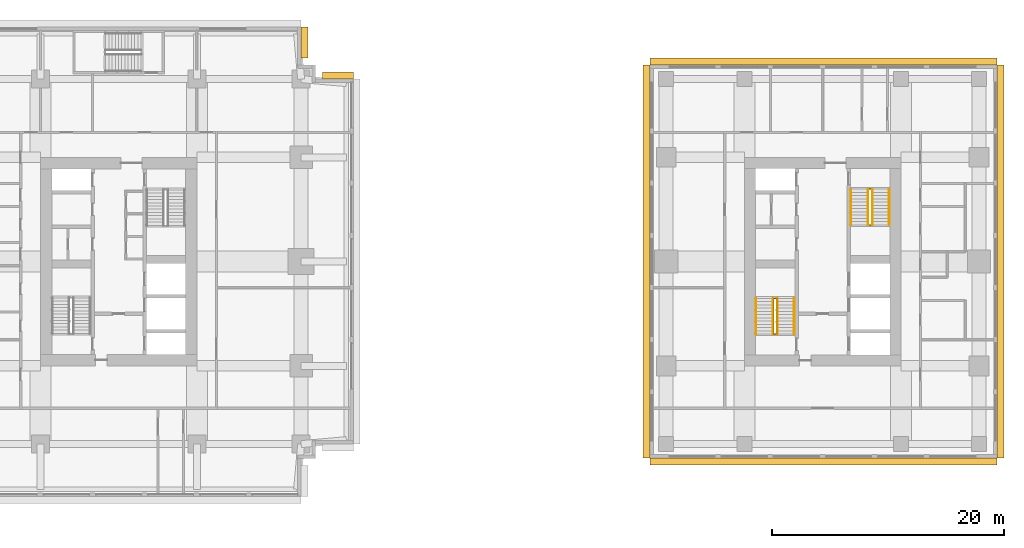
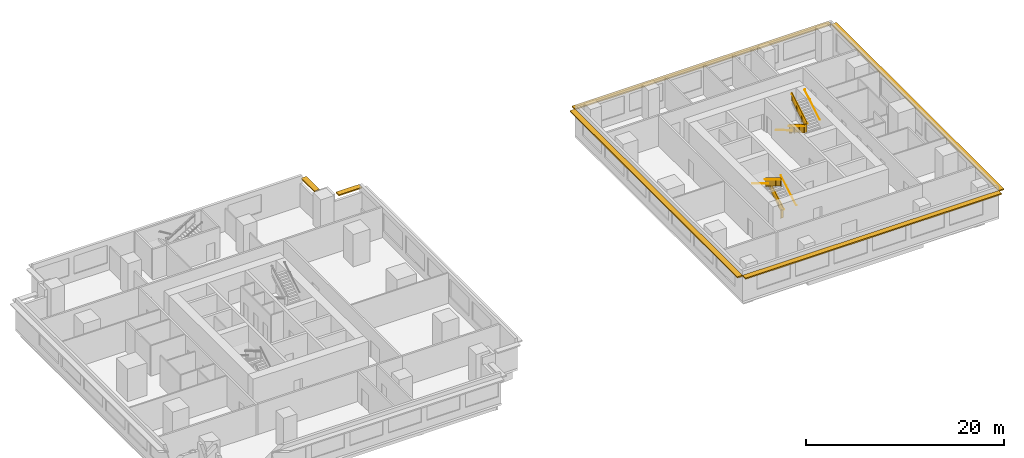
# One storey, part 11 of 11: 10 railings, 6 shading devices.
"""IFC4 building model written with IfcOpenShell, lengths in metres."""

from ifc_helpers import new_model, si_unit, direction, frame, origin, origin_2d, place, context, subcontext, project, spatial, polyline, rectangle, circle, outline, extrude, material, layer, layer_set, type_object, element, save


model = new_model("IFC4")

# Units and contexts
model_context = context("Model", 3, precision=1e-05, world=origin(), true_north=direction((0.0, 1.0)))
body_context = subcontext(model_context, "Body", "Model", "MODEL_VIEW")
ifc_project = project(units=[si_unit("LENGTHUNIT", "METRE"), si_unit("AREAUNIT", "SQUARE_METRE"), si_unit("VOLUMEUNIT", "CUBIC_METRE"), si_unit("PLANEANGLEUNIT", "RADIAN"), si_unit("MASSUNIT", "GRAM", prefix="KILO")], contexts=[model_context])

# Site, building, storey
site_placement = place(None, origin())
site = spatial("IfcSite", under=ifc_project, at=site_placement, CompositionType="ELEMENT")
building_placement = place(site_placement, origin())
building = spatial("IfcBuilding", under=site, at=building_placement, Name="Namib Vertical Campus", CompositionType="ELEMENT")
storey_placement = place(building_placement, frame((0.0, 0.0, 213.0)))
storey = spatial("IfcBuildingStorey", under=building, at=storey_placement, Name="L50", CompositionType="ELEMENT", Elevation=213.0)

# Railings
ifc_material_1 = material(Name="Steel handrail", Category="steel")
railing_type_1 = type_object("IfcRailingType", Name="Handrail 900", PredefinedType="HANDRAIL", material=ifc_material_1)
railing_1_placement = place(storey_placement, frame((78.550048828125, 14.0, 0.166748046875)))
element("IfcRailing", 1, at=railing_1_placement, inside=storey, type_object=railing_type_1, Name="Handrail HR1 B-S1 L50 1", PredefinedType="HANDRAIL", context=body_context, shape_type="SweptSolid", body=[
    extrude(circle(Radius=0.02392578125, at=origin_2d()), frame((0.0, 0.0, 0.8759765625), z_axis=(0.0, 0.859308565015, 0.511457515432), x_axis=(-1.0, 0.0, 0.0)), (0.0, 0.0, 1.0), 3.58447265625),
    extrude(circle(Radius=0.008056640625, at=origin_2d()), frame((0.0, 0.0, 0.8759765625), z_axis=(1.0, 0.0, 0.0), x_axis=(0.0, 0.0, 1.0)), (0.0, 0.0, 1.0), 0.050048828125),
    extrude(circle(Radius=0.008056640625, at=origin_2d()), frame((0.0, 1.026611328125, 1.48681640625), z_axis=(1.0, 0.0, 0.0), x_axis=(0.0, 0.0, 1.0)), (0.0, 0.0, 1.0), 0.050048828125),
    extrude(circle(Radius=0.008056640625, at=origin_2d()), frame((0.0, 2.053466796875, 2.09814453125), z_axis=(1.0, 0.0, 0.0), x_axis=(0.0, 0.0, 1.0)), (0.0, 0.0, 1.0), 0.050048828125),
    extrude(circle(Radius=0.008056640625, at=origin_2d()), frame((0.0, 3.080078125, 2.708984375), z_axis=(1.0, 0.0, 0.0), x_axis=(0.0, 0.0, 1.0)), (0.0, 0.0, 1.0), 0.050048828125),
])
railing_2_placement = place(storey_placement, frame((75.25, 17.080078125, 2.166748046875)))
element("IfcRailing", 2, at=railing_2_placement, inside=storey, type_object=railing_type_1, Name="Handrail HR1 B-S1 L50 2", PredefinedType="HANDRAIL", context=body_context, shape_type="SweptSolid", body=[
    extrude(circle(Radius=0.02392578125, at=origin_2d()), frame((0.0, 0.0, 0.8759765625), z_axis=(0.0, -0.859308565015, 0.511457515432), x_axis=(1.0, 0.0, 0.0)), (0.0, 0.0, 1.0), 3.58447265625),
    extrude(circle(Radius=0.008056640625, at=origin_2d()), frame((0.0, 0.0, 0.8759765625), z_axis=(-1.0, 0.0, 0.0), x_axis=(0.0, 0.0, 1.0)), (0.0, 0.0, 1.0), 0.050048828125),
    extrude(circle(Radius=0.008056640625, at=origin_2d()), frame((0.0, -1.026611328125, 1.48681640625), z_axis=(-1.0, 0.0, 0.0), x_axis=(0.0, 0.0, 1.0)), (0.0, 0.0, 1.0), 0.050048828125),
    extrude(circle(Radius=0.008056640625, at=origin_2d()), frame((0.0, -2.053466796875, 2.09814453125), z_axis=(-1.0, 0.0, 0.0), x_axis=(0.0, 0.0, 1.0)), (0.0, 0.0, 1.0), 0.050048828125),
    extrude(circle(Radius=0.008056640625, at=origin_2d()), frame((0.0, -3.080078125, 2.708984375), z_axis=(-1.0, 0.0, 0.0), x_axis=(0.0, 0.0, 1.0)), (0.0, 0.0, 1.0), 0.050048828125),
])
railing_3_placement = place(storey_placement, frame((77.10009765625, 14.0, 0.166748046875)))
element("IfcRailing", 3, at=railing_3_placement, inside=storey, type_object=railing_type_1, Name="Handrail HR1 B-S1 L50 1 at the well", PredefinedType="HANDRAIL", context=body_context, shape_type="SweptSolid", body=[
    extrude(circle(Radius=0.02392578125, at=origin_2d()), frame((0.0, 0.0, 0.8759765625), z_axis=(0.0, 0.859308565015, 0.511457515432), x_axis=(-1.0, 0.0, 0.0)), (0.0, 0.0, 1.0), 3.58447265625),
    extrude(circle(Radius=0.008056640625, at=origin_2d()), frame((0.0, 0.0, 0.8759765625), z_axis=(-1.0, 0.0, 0.0), x_axis=(0.0, 0.0, 1.0)), (0.0, 0.0, 1.0), 0.0400390625),
    extrude(circle(Radius=0.008056640625, at=origin_2d()), frame((0.0, 1.026611328125, 1.48681640625), z_axis=(-1.0, 0.0, 0.0), x_axis=(0.0, 0.0, 1.0)), (0.0, 0.0, 1.0), 0.0400390625),
    extrude(circle(Radius=0.008056640625, at=origin_2d()), frame((0.0, 2.053466796875, 2.09814453125), z_axis=(-1.0, 0.0, 0.0), x_axis=(0.0, 0.0, 1.0)), (0.0, 0.0, 1.0), 0.0400390625),
    extrude(circle(Radius=0.008056640625, at=origin_2d()), frame((0.0, 3.080078125, 2.708984375), z_axis=(-1.0, 0.0, 0.0), x_axis=(0.0, 0.0, 1.0)), (0.0, 0.0, 1.0), 0.0400390625),
])
railing_4_placement = place(storey_placement, frame((76.699951171875, 17.080078125, 2.166748046875)))
element("IfcRailing", 4, at=railing_4_placement, inside=storey, type_object=railing_type_1, Name="Handrail HR1 B-S1 L50 2 at the well", PredefinedType="HANDRAIL", context=body_context, shape_type="SweptSolid", body=[
    extrude(circle(Radius=0.02392578125, at=origin_2d()), frame((0.0, 0.0, 0.8759765625), z_axis=(0.0, -0.859308565015, 0.511457515432), x_axis=(1.0, 0.0, 0.0)), (0.0, 0.0, 1.0), 3.58447265625),
    extrude(circle(Radius=0.008056640625, at=origin_2d()), frame((0.0, 0.0, 0.8759765625), z_axis=(1.0, 0.0, 0.0), x_axis=(0.0, 0.0, 1.0)), (0.0, 0.0, 1.0), 0.0400390625),
    extrude(circle(Radius=0.008056640625, at=origin_2d()), frame((0.0, -1.026611328125, 1.48681640625), z_axis=(1.0, 0.0, 0.0), x_axis=(0.0, 0.0, 1.0)), (0.0, 0.0, 1.0), 0.0400390625),
    extrude(circle(Radius=0.008056640625, at=origin_2d()), frame((0.0, -2.053466796875, 2.09814453125), z_axis=(1.0, 0.0, 0.0), x_axis=(0.0, 0.0, 1.0)), (0.0, 0.0, 1.0), 0.0400390625),
    extrude(circle(Radius=0.008056640625, at=origin_2d()), frame((0.0, -3.080078125, 2.708984375), z_axis=(1.0, 0.0, 0.0), x_axis=(0.0, 0.0, 1.0)), (0.0, 0.0, 1.0), 0.0400390625),
])
railing_5_placement = place(storey_placement, frame((83.449951171875, 26.5, 0.166748046875)))
element("IfcRailing", 5, at=railing_5_placement, inside=storey, type_object=railing_type_1, Name="Handrail HR1 B-S2 L50 1", PredefinedType="HANDRAIL", context=body_context, shape_type="SweptSolid", body=[
    extrude(circle(Radius=0.02392578125, at=origin_2d()), frame((0.0, 0.0, 0.8759765625), z_axis=(0.0, -0.859308565015, 0.511457515432), x_axis=(1.0, 0.0, 0.0)), (0.0, 0.0, 1.0), 3.58447265625),
    extrude(circle(Radius=0.008056640625, at=origin_2d()), frame((0.0, 0.0, 0.8759765625), z_axis=(-1.0, 0.0, 0.0), x_axis=(0.0, 0.0, 1.0)), (0.0, 0.0, 1.0), 0.050048828125),
    extrude(circle(Radius=0.008056640625, at=origin_2d()), frame((0.0, -1.026611328125, 1.48681640625), z_axis=(-1.0, 0.0, 0.0), x_axis=(0.0, 0.0, 1.0)), (0.0, 0.0, 1.0), 0.050048828125),
    extrude(circle(Radius=0.008056640625, at=origin_2d()), frame((0.0, -2.053466796875, 2.09814453125), z_axis=(-1.0, 0.0, 0.0), x_axis=(0.0, 0.0, 1.0)), (0.0, 0.0, 1.0), 0.050048828125),
    extrude(circle(Radius=0.008056640625, at=origin_2d()), frame((0.0, -3.080078125, 2.708984375), z_axis=(-1.0, 0.0, 0.0), x_axis=(0.0, 0.0, 1.0)), (0.0, 0.0, 1.0), 0.050048828125),
])
railing_6_placement = place(storey_placement, frame((86.75, 23.419921875, 2.166748046875)))
element("IfcRailing", 6, at=railing_6_placement, inside=storey, type_object=railing_type_1, Name="Handrail HR1 B-S2 L50 2", PredefinedType="HANDRAIL", context=body_context, shape_type="SweptSolid", body=[
    extrude(circle(Radius=0.02392578125, at=origin_2d()), frame((0.0, 0.0, 0.8759765625), z_axis=(0.0, 0.859308565015, 0.511457515432), x_axis=(-1.0, 0.0, 0.0)), (0.0, 0.0, 1.0), 3.58447265625),
    extrude(circle(Radius=0.008056640625, at=origin_2d()), frame((0.0, 0.0, 0.8759765625), z_axis=(1.0, 0.0, 0.0), x_axis=(0.0, 0.0, 1.0)), (0.0, 0.0, 1.0), 0.050048828125),
    extrude(circle(Radius=0.008056640625, at=origin_2d()), frame((0.0, 1.026611328125, 1.48681640625), z_axis=(1.0, 0.0, 0.0), x_axis=(0.0, 0.0, 1.0)), (0.0, 0.0, 1.0), 0.050048828125),
    extrude(circle(Radius=0.008056640625, at=origin_2d()), frame((0.0, 2.053466796875, 2.09814453125), z_axis=(1.0, 0.0, 0.0), x_axis=(0.0, 0.0, 1.0)), (0.0, 0.0, 1.0), 0.050048828125),
    extrude(circle(Radius=0.008056640625, at=origin_2d()), frame((0.0, 3.080078125, 2.708984375), z_axis=(1.0, 0.0, 0.0), x_axis=(0.0, 0.0, 1.0)), (0.0, 0.0, 1.0), 0.050048828125),
])
railing_7_placement = place(storey_placement, frame((84.89990234375, 26.5, 0.166748046875)))
element("IfcRailing", 7, at=railing_7_placement, inside=storey, type_object=railing_type_1, Name="Handrail HR1 B-S2 L50 1 at the well", PredefinedType="HANDRAIL", context=body_context, shape_type="SweptSolid", body=[
    extrude(circle(Radius=0.02392578125, at=origin_2d()), frame((0.0, 0.0, 0.8759765625), z_axis=(0.0, -0.859308565015, 0.511457515432), x_axis=(1.0, 0.0, 0.0)), (0.0, 0.0, 1.0), 3.58447265625),
    extrude(circle(Radius=0.008056640625, at=origin_2d()), frame((0.0, 0.0, 0.8759765625), z_axis=(1.0, 0.0, 0.0), x_axis=(0.0, 0.0, 1.0)), (0.0, 0.0, 1.0), 0.0400390625),
    extrude(circle(Radius=0.008056640625, at=origin_2d()), frame((0.0, -1.026611328125, 1.48681640625), z_axis=(1.0, 0.0, 0.0), x_axis=(0.0, 0.0, 1.0)), (0.0, 0.0, 1.0), 0.0400390625),
    extrude(circle(Radius=0.008056640625, at=origin_2d()), frame((0.0, -2.053466796875, 2.09814453125), z_axis=(1.0, 0.0, 0.0), x_axis=(0.0, 0.0, 1.0)), (0.0, 0.0, 1.0), 0.0400390625),
    extrude(circle(Radius=0.008056640625, at=origin_2d()), frame((0.0, -3.080078125, 2.708984375), z_axis=(1.0, 0.0, 0.0), x_axis=(0.0, 0.0, 1.0)), (0.0, 0.0, 1.0), 0.0400390625),
])
railing_8_placement = place(storey_placement, frame((85.300048828125, 23.419921875, 2.166748046875)))
element("IfcRailing", 8, at=railing_8_placement, inside=storey, type_object=railing_type_1, Name="Handrail HR1 B-S2 L50 2 at the well", PredefinedType="HANDRAIL", context=body_context, shape_type="SweptSolid", body=[
    extrude(circle(Radius=0.02392578125, at=origin_2d()), frame((0.0, 0.0, 0.8759765625), z_axis=(0.0, 0.859308565015, 0.511457515432), x_axis=(-1.0, 0.0, 0.0)), (0.0, 0.0, 1.0), 3.58447265625),
    extrude(circle(Radius=0.008056640625, at=origin_2d()), frame((0.0, 0.0, 0.8759765625), z_axis=(-1.0, 0.0, 0.0), x_axis=(0.0, 0.0, 1.0)), (0.0, 0.0, 1.0), 0.0400390625),
    extrude(circle(Radius=0.008056640625, at=origin_2d()), frame((0.0, 1.026611328125, 1.48681640625), z_axis=(-1.0, 0.0, 0.0), x_axis=(0.0, 0.0, 1.0)), (0.0, 0.0, 1.0), 0.0400390625),
    extrude(circle(Radius=0.008056640625, at=origin_2d()), frame((0.0, 2.053466796875, 2.09814453125), z_axis=(-1.0, 0.0, 0.0), x_axis=(0.0, 0.0, 1.0)), (0.0, 0.0, 1.0), 0.0400390625),
    extrude(circle(Radius=0.008056640625, at=origin_2d()), frame((0.0, 3.080078125, 2.708984375), z_axis=(-1.0, 0.0, 0.0), x_axis=(0.0, 0.0, 1.0)), (0.0, 0.0, 1.0), 0.0400390625),
])
ifc_material_2 = material(Name="Steel balustrade", Category="steel")
railing_type_2 = type_object("IfcRailingType", Name="Stair guard 1100", PredefinedType="GUARDRAIL", material=ifc_material_2)
railing_9_placement = place(storey_placement, frame((76.75, 14.0, 0.0)))
element("IfcRailing", 9, at=railing_9_placement, inside=storey, type_object=railing_type_2, Name="Stair guard GR1 B-S1 L50", PredefinedType="GUARDRAIL", context=body_context, shape_type="SweptSolid", body=[
    extrude(circle(Radius=0.02392578125, at=origin_2d()), frame((0.0, 0.0, 1.076171875), z_axis=(1.0, 0.0, 0.0), x_axis=(0.0, 1.0, 0.0)), (0.0, 0.0, 1.0), 0.300048828125),
    extrude(outline(polyline([(0.02099609375, 0.050048828125), (0.279052734375, 0.050048828125), (0.279052734375, 1.052001953125), (0.02099609375, 1.052001953125), (0.02099609375, 0.050048828125)])), frame((0.0, 0.010009765625, 0.0), z_axis=(0.0, -1.0, 0.0), x_axis=(1.0, 0.0, 0.0)), (0.0, 0.0, 1.0), 0.02001953125),
    extrude(circle(Radius=0.02392578125, at=origin_2d()), frame((0.300048828125, 0.0, 1.076171875), z_axis=(0.0, 0.0, 1.0), x_axis=(1.0, 0.0, 0.0)), (0.0, 0.0, 1.0), 0.166748046875),
    extrude(circle(Radius=0.02392578125, at=origin_2d()), frame((0.300048828125, 0.0, 1.24267578125), z_axis=(0.0, 0.859308565015, 0.511457515432), x_axis=(-1.0, 0.0, 0.0)), (0.0, 0.0, 1.0), 3.58447265625),
    extrude(outline(polyline([(0.02099609375, 0.0625), (3.05908203125, 1.870849609375), (3.05908203125, 2.872802734375), (0.02099609375, 1.064453125), (0.02099609375, 0.0625)])), frame((0.2900390625, 0.0, 0.166748046875), z_axis=(1.0, 0.0, 0.0), x_axis=(0.0, 1.0, 0.0)), (0.0, 0.0, 1.0), 0.02001953125),
    extrude(circle(Radius=0.02392578125, at=origin_2d()), frame((0.300048828125, 3.080078125, 3.076171875), z_axis=(-1.0, 0.0, 0.0), x_axis=(0.0, -1.0, 0.0)), (0.0, 0.0, 1.0), 0.300048828125),
    extrude(outline(polyline([(0.02099609375, 0.050048828125), (0.279052734375, 0.050048828125), (0.279052734375, 1.052001953125), (0.02099609375, 1.052001953125), (0.02099609375, 0.050048828125)])), frame((0.300048828125, 3.070068359375, 2.0), z_axis=(0.0, 1.0, 0.0), x_axis=(-1.0, 0.0, 0.0)), (0.0, 0.0, 1.0), 0.02001953125),
    extrude(circle(Radius=0.02392578125, at=origin_2d()), frame((0.0, 3.080078125, 3.076171875), z_axis=(0.0, 0.0, 1.0), x_axis=(1.0, 0.0, 0.0)), (0.0, 0.0, 1.0), 0.166748046875),
    extrude(circle(Radius=0.02392578125, at=origin_2d()), frame((0.0, 3.080078125, 3.24267578125), z_axis=(0.0, -0.859308565015, 0.511457515432), x_axis=(1.0, 0.0, 0.0)), (0.0, 0.0, 1.0), 3.58447265625),
    extrude(outline(polyline([(0.02099609375, 0.0625), (3.05908203125, 1.870849609375), (3.05908203125, 2.872802734375), (0.02099609375, 1.064453125), (0.02099609375, 0.0625)])), frame((0.010009765625, 3.080078125, 2.166748046875), z_axis=(-1.0, 0.0, 0.0), x_axis=(0.0, -1.0, 0.0)), (0.0, 0.0, 1.0), 0.02001953125),
    extrude(circle(Radius=0.02392578125, at=origin_2d()), frame((0.0, 0.0, 5.076171875), z_axis=(0.0, -1.0, 0.0), x_axis=(1.0, 0.0, 0.0)), (0.0, 0.0, 1.0), 0.050048828125),
    extrude(outline(polyline([(0.02099609375, 0.050048828125), (0.029052734375, 0.050048828125), (0.029052734375, 1.052001953125), (0.02099609375, 1.052001953125), (0.02099609375, 0.050048828125)])), frame((0.010009765625, 0.0, 4.0), z_axis=(-1.0, 0.0, 0.0), x_axis=(0.0, -1.0, 0.0)), (0.0, 0.0, 1.0), 0.02001953125),
    extrude(circle(Radius=0.02099609375, at=origin_2d()), origin(), (0.0, 0.0, 1.0), 1.052001953125),
    extrude(circle(Radius=0.02099609375, at=origin_2d()), frame((0.300048828125, 0.0, 0.166748046875)), (0.0, 0.0, 1.0), 1.052001953125),
    extrude(circle(Radius=0.02099609375, at=origin_2d()), frame((0.300048828125, 1.026611328125, 0.666748046875)), (0.0, 0.0, 1.0), 1.1630859375),
    extrude(circle(Radius=0.02099609375, at=origin_2d()), frame((0.300048828125, 2.053466796875, 1.33349609375)), (0.0, 0.0, 1.0), 1.107421875),
    extrude(circle(Radius=0.02099609375, at=origin_2d()), frame((0.300048828125, 3.080078125, 2.0)), (0.0, 0.0, 1.0), 1.052001953125),
    extrude(circle(Radius=0.02099609375, at=origin_2d()), frame((0.0, 3.080078125, 2.166748046875)), (0.0, 0.0, 1.0), 1.052001953125),
    extrude(circle(Radius=0.02099609375, at=origin_2d()), frame((0.0, 2.053466796875, 2.666748046875)), (0.0, 0.0, 1.0), 1.1630859375),
    extrude(circle(Radius=0.02099609375, at=origin_2d()), frame((0.0, 1.026611328125, 3.33349609375)), (0.0, 0.0, 1.0), 1.107421875),
    extrude(circle(Radius=0.02099609375, at=origin_2d()), frame((0.0, 0.0, 4.0)), (0.0, 0.0, 1.0), 1.052001953125),
    extrude(circle(Radius=0.02099609375, at=origin_2d()), frame((0.0, -0.050048828125, 4.0)), (0.0, 0.0, 1.0), 1.052001953125),
])
railing_10_placement = place(storey_placement, frame((85.25, 26.5, 0.0)))
element("IfcRailing", 10, at=railing_10_placement, inside=storey, type_object=railing_type_2, Name="Stair guard GR1 B-S2 L50", PredefinedType="GUARDRAIL", context=body_context, shape_type="SweptSolid", body=[
    extrude(circle(Radius=0.02392578125, at=origin_2d()), frame((0.0, 0.0, 1.076171875), z_axis=(-1.0, 0.0, 0.0), x_axis=(0.0, -1.0, 0.0)), (0.0, 0.0, 1.0), 0.300048828125),
    extrude(outline(polyline([(0.02099609375, 0.050048828125), (0.279052734375, 0.050048828125), (0.279052734375, 1.052001953125), (0.02099609375, 1.052001953125), (0.02099609375, 0.050048828125)])), frame((0.0, -0.010009765625, 0.0), z_axis=(0.0, 1.0, 0.0), x_axis=(-1.0, 0.0, 0.0)), (0.0, 0.0, 1.0), 0.02001953125),
    extrude(circle(Radius=0.02392578125, at=origin_2d()), frame((-0.300048828125, 0.0, 1.076171875), z_axis=(0.0, 0.0, 1.0), x_axis=(1.0, 0.0, 0.0)), (0.0, 0.0, 1.0), 0.166748046875),
    extrude(circle(Radius=0.02392578125, at=origin_2d()), frame((-0.300048828125, 0.0, 1.24267578125), z_axis=(0.0, -0.859308565015, 0.511457515432), x_axis=(1.0, 0.0, 0.0)), (0.0, 0.0, 1.0), 3.58447265625),
    extrude(outline(polyline([(0.02099609375, 0.0625), (3.05908203125, 1.870849609375), (3.05908203125, 2.872802734375), (0.02099609375, 1.064453125), (0.02099609375, 0.0625)])), frame((-0.2900390625, 0.0, 0.166748046875), z_axis=(-1.0, 0.0, 0.0), x_axis=(0.0, -1.0, 0.0)), (0.0, 0.0, 1.0), 0.02001953125),
    extrude(circle(Radius=0.02392578125, at=origin_2d()), frame((-0.300048828125, -3.080078125, 3.076171875), z_axis=(1.0, 0.0, 0.0), x_axis=(0.0, 1.0, 0.0)), (0.0, 0.0, 1.0), 0.300048828125),
    extrude(outline(polyline([(0.02099609375, 0.050048828125), (0.279052734375, 0.050048828125), (0.279052734375, 1.052001953125), (0.02099609375, 1.052001953125), (0.02099609375, 0.050048828125)])), frame((-0.300048828125, -3.070068359375, 2.0), z_axis=(0.0, -1.0, 0.0), x_axis=(1.0, 0.0, 0.0)), (0.0, 0.0, 1.0), 0.02001953125),
    extrude(circle(Radius=0.02392578125, at=origin_2d()), frame((0.0, -3.080078125, 3.076171875), z_axis=(0.0, 0.0, 1.0), x_axis=(1.0, 0.0, 0.0)), (0.0, 0.0, 1.0), 0.166748046875),
    extrude(circle(Radius=0.02392578125, at=origin_2d()), frame((0.0, -3.080078125, 3.24267578125), z_axis=(0.0, 0.859308565015, 0.511457515432), x_axis=(-1.0, 0.0, 0.0)), (0.0, 0.0, 1.0), 3.58447265625),
    extrude(outline(polyline([(0.02099609375, 0.0625), (3.05908203125, 1.870849609375), (3.05908203125, 2.872802734375), (0.02099609375, 1.064453125), (0.02099609375, 0.0625)])), frame((-0.010009765625, -3.080078125, 2.166748046875), z_axis=(1.0, 0.0, 0.0), x_axis=(0.0, 1.0, 0.0)), (0.0, 0.0, 1.0), 0.02001953125),
    extrude(circle(Radius=0.02392578125, at=origin_2d()), frame((0.0, 0.0, 5.076171875), z_axis=(0.0, 1.0, 0.0), x_axis=(-1.0, 0.0, 0.0)), (0.0, 0.0, 1.0), 0.050048828125),
    extrude(outline(polyline([(0.02099609375, 0.050048828125), (0.029052734375, 0.050048828125), (0.029052734375, 1.052001953125), (0.02099609375, 1.052001953125), (0.02099609375, 0.050048828125)])), frame((-0.010009765625, 0.0, 4.0), z_axis=(1.0, 0.0, 0.0), x_axis=(0.0, 1.0, 0.0)), (0.0, 0.0, 1.0), 0.02001953125),
    extrude(circle(Radius=0.02099609375, at=origin_2d()), origin(), (0.0, 0.0, 1.0), 1.052001953125),
    extrude(circle(Radius=0.02099609375, at=origin_2d()), frame((-0.300048828125, 0.0, 0.166748046875)), (0.0, 0.0, 1.0), 1.052001953125),
    extrude(circle(Radius=0.02099609375, at=origin_2d()), frame((-0.300048828125, -1.026611328125, 0.666748046875)), (0.0, 0.0, 1.0), 1.1630859375),
    extrude(circle(Radius=0.02099609375, at=origin_2d()), frame((-0.300048828125, -2.053466796875, 1.33349609375)), (0.0, 0.0, 1.0), 1.107421875),
    extrude(circle(Radius=0.02099609375, at=origin_2d()), frame((-0.300048828125, -3.080078125, 2.0)), (0.0, 0.0, 1.0), 1.052001953125),
    extrude(circle(Radius=0.02099609375, at=origin_2d()), frame((0.0, -3.080078125, 2.166748046875)), (0.0, 0.0, 1.0), 1.052001953125),
    extrude(circle(Radius=0.02099609375, at=origin_2d()), frame((0.0, -2.053466796875, 2.666748046875)), (0.0, 0.0, 1.0), 1.1630859375),
    extrude(circle(Radius=0.02099609375, at=origin_2d()), frame((0.0, -1.026611328125, 3.33349609375)), (0.0, 0.0, 1.0), 1.107421875),
    extrude(circle(Radius=0.02099609375, at=origin_2d()), frame((0.0, 0.0, 4.0)), (0.0, 0.0, 1.0), 1.052001953125),
    extrude(circle(Radius=0.02099609375, at=origin_2d()), frame((0.0, 0.050048828125, 4.0)), (0.0, 0.0, 1.0), 1.052001953125),
])

# Shading devices
ifc_material_3 = material(Name="Concrete C40/50 precast", Category="concrete")
ifc_layer = layer(ifc_material_3, 0.14990234375)
ifc_layer_set = layer_set([ifc_layer], Name="Concrete C40/50 precast")
shading_device_type = type_object("IfcShadingDeviceType", Name="Sunshade hood 600", PredefinedType="SHUTTER", material=ifc_layer_set)
for number, where, z_axis, x_axis, name in (
    (11, (39.16259765625, 36.300048828125, 3.10009765625), (0.0, 0.0, 1.0), (-1.0, 0.0, 0.0), "Sunshade SH3 L50 7"),
    (12, (36.300048828125, 39.16259765625, 3.10009765625), (0.0, 0.0, 1.0), (0.0, 1.0, 0.0), "Sunshade SH3 L50 10"),
):
    element("IfcShadingDevice", number, at=place(storey_placement, frame(where, z_axis=z_axis, x_axis=x_axis)), inside=storey, type_object=shading_device_type, Name=name, PredefinedType="SHUTTER", context=body_context, shape_type="SweptSolid", body=[
        extrude(rectangle(XDim=2.675048828125, YDim=0.60009765625, at=origin_2d()), origin(), (0.0, 0.0, 1.0), 0.14990234375),
    ])
shading_device_1_placement = place(storey_placement, frame((81.074951171875, 3.0, 3.10009765625), z_axis=(0.0, 0.0, 1.0), x_axis=(1.0, 0.0, 0.0)))
element("IfcShadingDevice", 13, at=shading_device_1_placement, inside=storey, type_object=shading_device_type, Name="Sunshade SH3 L50 1", PredefinedType="SHUTTER", context=body_context, shape_type="SweptSolid", body=[
    extrude(rectangle(XDim=29.949951171875, YDim=0.60009765625, at=origin_2d()), origin(), (0.0, 0.0, 1.0), 0.14990234375),
])
shading_device_2_placement = place(storey_placement, frame((96.35009765625, 20.25, 3.10009765625), z_axis=(0.0, 0.0, 1.0), x_axis=(0.0, 1.0, 0.0)))
element("IfcShadingDevice", 14, at=shading_device_2_placement, inside=storey, type_object=shading_device_type, Name="Sunshade SH3 L50 2", PredefinedType="SHUTTER", context=body_context, shape_type="SweptSolid", body=[
    extrude(rectangle(XDim=33.89990234375, YDim=0.60009765625, at=origin_2d()), origin(), (0.0, 0.0, 1.0), 0.14990234375),
])
shading_device_3_placement = place(storey_placement, frame((81.074951171875, 37.5, 3.10009765625), z_axis=(0.0, 0.0, 1.0), x_axis=(-1.0, 0.0, 0.0)))
element("IfcShadingDevice", 15, at=shading_device_3_placement, inside=storey, type_object=shading_device_type, Name="Sunshade SH3 L50 3", PredefinedType="SHUTTER", context=body_context, shape_type="SweptSolid", body=[
    extrude(rectangle(XDim=29.949951171875, YDim=0.60009765625, at=origin_2d()), origin(), (0.0, 0.0, 1.0), 0.14990234375),
])
shading_device_4_placement = place(storey_placement, frame((65.800048828125, 20.25, 3.10009765625), z_axis=(0.0, 0.0, 1.0), x_axis=(0.0, -1.0, 0.0)))
element("IfcShadingDevice", 16, at=shading_device_4_placement, inside=storey, type_object=shading_device_type, Name="Sunshade SH3 L50 4", PredefinedType="SHUTTER", context=body_context, shape_type="SweptSolid", body=[
    extrude(rectangle(XDim=33.89990234375, YDim=0.60009765625, at=origin_2d()), origin(), (0.0, 0.0, 1.0), 0.14990234375),
])

save(model, "model.ifc")
